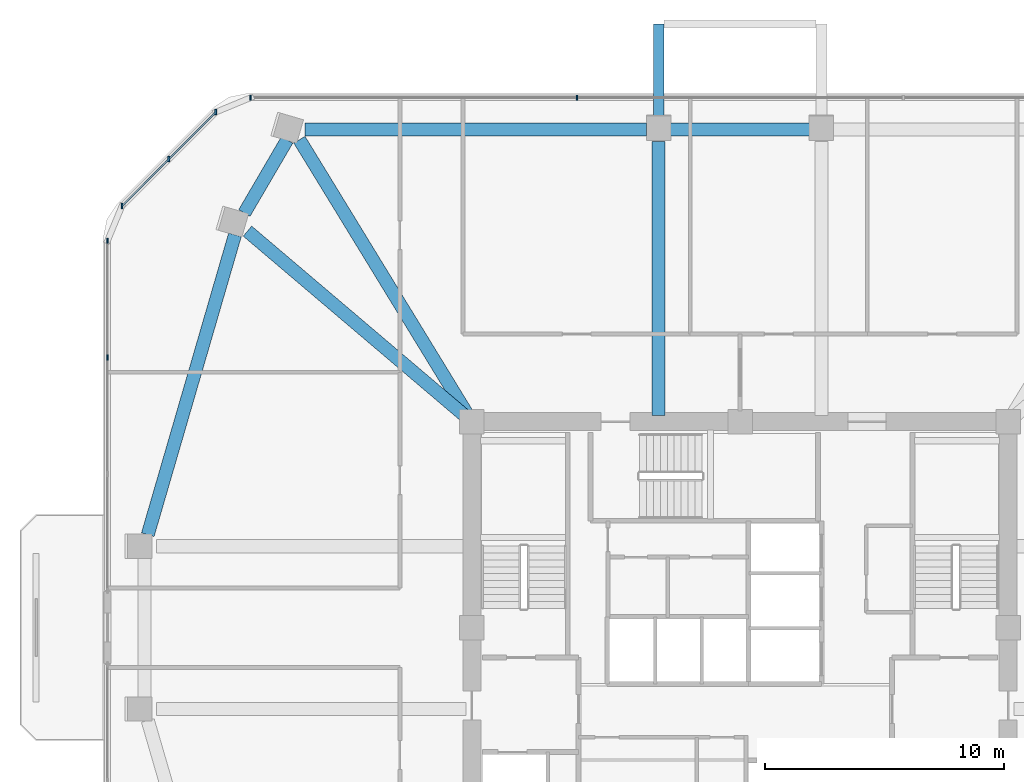
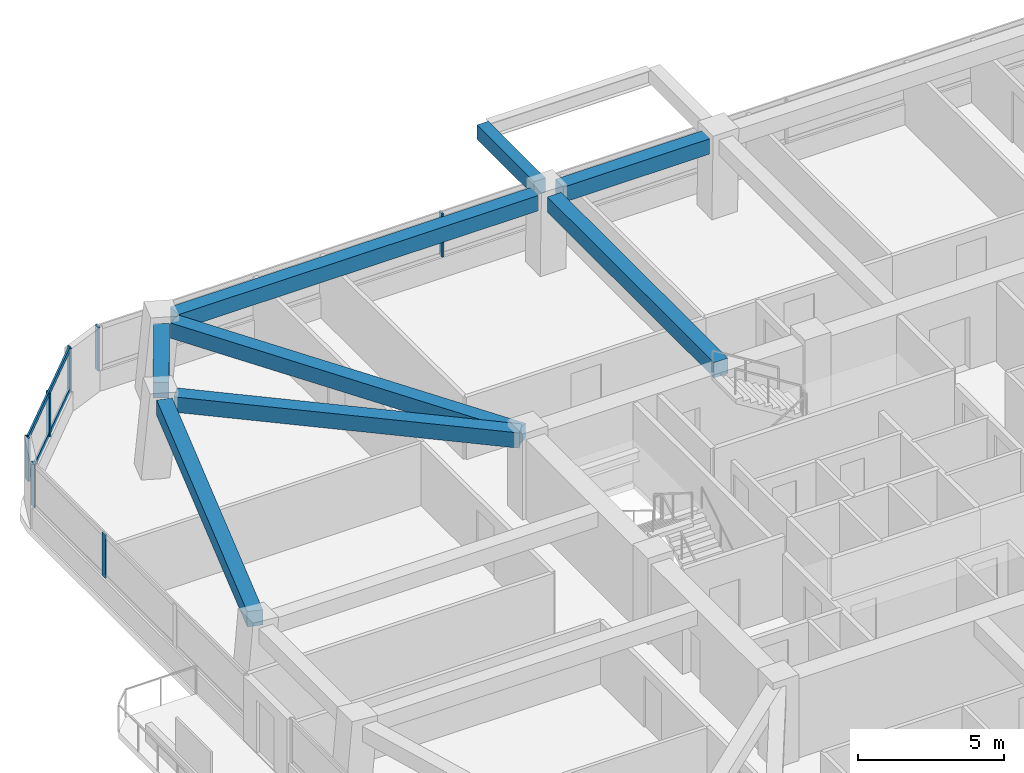
# One storey, part 6 of 15: 9 members, 8 beams, 3 elements without a shape of their own.
"""IFC4 building model written with IfcOpenShell, lengths in metres."""

from ifc_helpers import new_model, si_unit, derived_unit, direction, frame, origin, origin_2d, place, context, subcontext, project, spatial, rectangle, extrude, material, material_profile, profile_set, type_object, element, aggregate, save


model = new_model("IFC4")

# Units and contexts
model_context = context("Model", 3, precision=1e-05, world=origin(), true_north=direction((0.0, 1.0)))
body_context = subcontext(model_context, "Body", "Model", "MODEL_VIEW")
ifc_project = project(units=[si_unit("LENGTHUNIT", "METRE"), si_unit("AREAUNIT", "SQUARE_METRE"), si_unit("VOLUMEUNIT", "CUBIC_METRE"), si_unit("PLANEANGLEUNIT", "RADIAN"), si_unit("MASSUNIT", "GRAM", prefix="KILO"), derived_unit("THERMALTRANSMITTANCEUNIT", [(si_unit("POWERUNIT", "WATT"), 1), (si_unit("LENGTHUNIT", "METRE"), -2), (si_unit("THERMODYNAMICTEMPERATUREUNIT", "KELVIN"), -1)])], contexts=[model_context])

# Site, building, storey
site_placement = place(None, origin())
site = spatial("IfcSite", under=ifc_project, at=site_placement, CompositionType="ELEMENT")
building_placement = place(site_placement, origin())
building = spatial("IfcBuilding", under=site, at=building_placement, Name="Koralith Skygarden Medical Center", CompositionType="ELEMENT")
storey_placement = place(building_placement, frame((0.0, 0.0, 91.97998046875)))
storey = spatial("IfcBuildingStorey", under=building, at=storey_placement, Name="L23", CompositionType="ELEMENT", Elevation=91.97998046875)

# Curtain wall, members
ifc_material_1 = material(Name="Clear Laminated Glass", Category="glass")
curtain_wall_type = type_object("IfcCurtainWallType", Name="CW-3 Zone 2 Faceted Solar Curtain Wall", PredefinedType="NOTDEFINED", material=ifc_material_1)
curtain_wall_1_placement = place(storey_placement, origin())
curtain_wall_1 = element("IfcCurtainWall", 1, at=curtain_wall_1_placement, inside=storey, type_object=curtain_wall_type, Name="Curtain Wall CW-L23-N", PredefinedType="NOTDEFINED")
ifc_material_2 = material(Name="Aluminium 6063-T6", Category="aluminium")
ifc_material_profile_1 = material_profile(ifc_material_2, rectangle(XDim=0.073974609375, YDim=0.219970703125, at=origin_2d()), Name="MUL74X220")
ifc_profile_set_1 = profile_set([ifc_material_profile_1], Name="Aluminium 6063-T6")
member_type_1 = type_object("IfcMemberType", Name="CW-3 Extruded Mullion 74x220", PredefinedType="MULLION", material=ifc_profile_set_1)
member_1_placement = place(storey_placement, frame((30.18603515625, 48.031005859375, 0.85009765625), z_axis=(0.0, 0.0, 1.0), x_axis=(1.0, 0.0, 0.0)))
member_1 = element("IfcMember", 2, at=member_1_placement, type_object=member_type_1, Name="CW-L23-N Mullion 3", PredefinedType="MULLION", context=body_context, shape_type="SweptSolid", body=[
    extrude(rectangle(XDim=0.073974609375, YDim=0.219970703125, at=origin_2d()), origin(), (0.0, 0.0, 1.0), 1.81982421875),
])
member_2_placement = place(storey_placement, frame((16.55810546875, 48.031005859375, 0.85009765625), z_axis=(0.0, 0.0, 1.0), x_axis=(1.0, 0.0, 0.0)))
member_2 = element("IfcMember", 3, at=member_2_placement, type_object=member_type_1, Name="CW-L23-N Mullion 4", PredefinedType="MULLION", context=body_context, shape_type="SweptSolid", body=[
    extrude(rectangle(XDim=0.073974609375, YDim=0.219970703125, at=origin_2d()), origin(), (0.0, 0.0, 1.0), 1.81982421875),
])
aggregate(curtain_wall_1, [member_1, member_2])

curtain_wall_2_placement = place(storey_placement, origin())
curtain_wall_2 = element("IfcCurtainWall", 4, at=curtain_wall_2_placement, inside=storey, type_object=curtain_wall_type, Name="Curtain Wall CW-L23-NW", PredefinedType="NOTDEFINED")
member_3_placement = place(storey_placement, frame((15.10693359375, 47.429931640625, 0.85009765625), z_axis=(0.0, 0.0, 1.0), x_axis=(1.0, 0.0, 0.0)))
member_3 = element("IfcMember", 5, at=member_3_placement, type_object=member_type_1, Name="CW-L23-NW Mullion 1", PredefinedType="MULLION", context=body_context, shape_type="SweptSolid", body=[
    extrude(rectangle(XDim=0.073974609375, YDim=0.219970703125, at=origin_2d()), origin(), (0.0, 0.0, 1.0), 1.81982421875),
])
member_4_placement = place(storey_placement, frame((13.14501953125, 45.468017578125, 0.85009765625), z_axis=(0.0, 0.0, 1.0), x_axis=(1.0, 0.0, 0.0)))
member_4 = element("IfcMember", 6, at=member_4_placement, type_object=member_type_1, Name="CW-L23-NW Mullion 2", PredefinedType="MULLION", context=body_context, shape_type="SweptSolid", body=[
    extrude(rectangle(XDim=0.073974609375, YDim=0.219970703125, at=origin_2d()), origin(), (0.0, 0.0, 1.0), 1.81982421875),
])
member_5_placement = place(storey_placement, frame((11.18408203125, 43.507080078125, 0.85009765625), z_axis=(0.0, 0.0, 1.0), x_axis=(1.0, 0.0, 0.0)))
member_5 = element("IfcMember", 7, at=member_5_placement, type_object=member_type_1, Name="CW-L23-NW Mullion 3", PredefinedType="MULLION", context=body_context, shape_type="SweptSolid", body=[
    extrude(rectangle(XDim=0.073974609375, YDim=0.219970703125, at=origin_2d()), origin(), (0.0, 0.0, 1.0), 1.81982421875),
])

curtain_wall_3_placement = place(storey_placement, origin())
curtain_wall_3 = element("IfcCurtainWall", 8, at=curtain_wall_3_placement, inside=storey, type_object=curtain_wall_type, Name="Curtain Wall CW-L23-W-L", PredefinedType="NOTDEFINED")
member_6_placement = place(storey_placement, frame((10.58203125, 42.055908203125, 0.85009765625), z_axis=(0.0, 0.0, 1.0), x_axis=(1.0, 0.0, 0.0)))
member_6 = element("IfcMember", 9, at=member_6_placement, type_object=member_type_1, Name="CW-L23-W-L Mullion 1", PredefinedType="MULLION", context=body_context, shape_type="SweptSolid", body=[
    extrude(rectangle(XDim=0.073974609375, YDim=0.219970703125, at=origin_2d()), origin(), (0.0, 0.0, 1.0), 1.81982421875),
])
member_7_placement = place(storey_placement, frame((10.58203125, 37.18408203125, 0.85009765625), z_axis=(0.0, 0.0, 1.0), x_axis=(1.0, 0.0, 0.0)))
member_7 = element("IfcMember", 10, at=member_7_placement, type_object=member_type_1, Name="CW-L23-W-L Mullion 2", PredefinedType="MULLION", context=body_context, shape_type="SweptSolid", body=[
    extrude(rectangle(XDim=0.073974609375, YDim=0.219970703125, at=origin_2d()), origin(), (0.0, 0.0, 1.0), 1.81982421875),
])
aggregate(curtain_wall_3, [member_6, member_7])

# Member
ifc_material_profile_2 = material_profile(ifc_material_2, rectangle(XDim=0.069091796875, YDim=0.197998046875, at=origin_2d()), Name="TRN69X198")
ifc_profile_set_2 = profile_set([ifc_material_profile_2], Name="Aluminium 6063-T6")
member_type_2 = type_object("IfcMemberType", Name="CW-3 Thermal Transom 69x198", PredefinedType="USERDEFINED", material=ifc_profile_set_2)
member_8_placement = place(storey_placement, frame((15.10693359375, 47.429931640625, 0.89990234375), z_axis=(-0.707106781187, -0.707106781187, 0.0), x_axis=(0.707106781187, -0.707106781187, 0.0)))
member_8 = element("IfcMember", 11, at=member_8_placement, type_object=member_type_2, Name="CW-L23-NW Transom 1", ObjectType="TRANSOM", PredefinedType="USERDEFINED", context=body_context, shape_type="SweptSolid", body=[
    extrude(rectangle(XDim=0.069091796875, YDim=0.197998046875, at=origin_2d()), origin(), (0.0, 0.0, 1.0), 5.5478515625),
])

member_9_placement = place(storey_placement, frame((15.10693359375, 47.429931640625, 2.6201171875), z_axis=(-0.707106781187, -0.707106781187, 0.0), x_axis=(0.707106781187, -0.707106781187, 0.0)))
member_9 = element("IfcMember", 12, at=member_9_placement, type_object=member_type_2, Name="CW-L23-NW Transom 2", ObjectType="TRANSOM", PredefinedType="USERDEFINED", context=body_context, shape_type="SweptSolid", body=[
    extrude(rectangle(XDim=0.069091796875, YDim=0.197998046875, at=origin_2d()), origin(), (0.0, 0.0, 1.0), 5.5478515625),
])

aggregate(curtain_wall_2, [member_3, member_4, member_5, member_8, member_9])

# Beams
ifc_material_3 = material(Name="Concrete C45/55", Category="concrete")
ifc_material_profile_3 = material_profile(ifc_material_3, rectangle(XDim=0.449951171875, YDim=0.60009765625, at=origin_2d()), Name="RCB450X600")
ifc_profile_set_3 = profile_set([ifc_material_profile_3], Name="Concrete C45/55")
beam_type_1 = type_object("IfcBeamType", Name="Planted Balcony Cantilever Beam RCB450X600", PredefinedType="BEAM", material=ifc_profile_set_3)
beam_1_placement = place(storey_placement, frame((33.60009765625, 47.193115234375, 3.0400390625), z_axis=(0.0, 1.0, 0.0), x_axis=(-1.0, 0.0, 0.0)))
element("IfcBeam", 13, at=beam_1_placement, inside=storey, type_object=beam_type_1, Name="L24 N Balcony Cantilever Beam A", PredefinedType="BEAM", context=body_context, shape_type="SweptSolid", body=[
    extrude(rectangle(XDim=0.449951171875, YDim=0.60009765625, at=origin_2d()), origin(), (0.0, 0.0, 1.0), 3.919921875),
])
ifc_material_profile_4 = material_profile(ifc_material_3, rectangle(XDim=0.550048828125, YDim=0.639892578125, at=origin_2d()), Name="RCB550X640")
ifc_profile_set_4 = profile_set([ifc_material_profile_4], Name="Concrete C45/55")
beam_type_2 = type_object("IfcBeamType", Name="Radial Collector Beam RCB550X640", PredefinedType="BEAM", material=ifc_profile_set_4)
beam_2_placement = place(storey_placement, frame((33.60009765625, 34.75, 3.0), z_axis=(0.0, 1.0, 0.0), x_axis=(-1.0, 0.0, 0.0)))
element("IfcBeam", 14, at=beam_2_placement, inside=storey, type_object=beam_type_2, Name="L23 Radial Collector Beam RB-13", PredefinedType="BEAM", context=body_context, shape_type="SweptSolid", body=[
    extrude(rectangle(XDim=0.550048828125, YDim=0.639892578125, at=origin_2d()), origin(), (0.0, 0.0, 1.0), 11.452880859375),
])
beam_3_placement = place(storey_placement, frame((25.669921875, 34.712890625, 3.0), z_axis=(-0.521811326111, 0.853060923933, 0.0), x_axis=(-0.853060923933, -0.521811326111, 0.0)))
element("IfcBeam", 15, at=beam_3_placement, inside=storey, type_object=beam_type_2, Name="L23 Radial Collector Beam RB-14", PredefinedType="BEAM", context=body_context, shape_type="SweptSolid", body=[
    extrude(rectangle(XDim=0.550048828125, YDim=0.639892578125, at=origin_2d()), origin(), (0.0, 0.0, 1.0), 13.5546875),
])
beam_4_placement = place(storey_placement, frame((25.60888671875, 34.662109375, 3.0), z_axis=(-0.762289739891, 0.647235932607, 0.0), x_axis=(-0.647235932607, -0.762289739891, 0.0)))
element("IfcBeam", 16, at=beam_4_placement, inside=storey, type_object=beam_type_2, Name="L23 Radial Collector Beam RB-15", PredefinedType="BEAM", context=body_context, shape_type="SweptSolid", body=[
    extrude(rectangle(XDim=0.550048828125, YDim=0.639892578125, at=origin_2d()), origin(), (0.0, 0.0, 1.0), 12.04638671875),
])
ifc_material_profile_5 = material_profile(ifc_material_3, rectangle(XDim=0.550048828125, YDim=0.639892578125, at=origin_2d()), Name="RCB550X640")
ifc_profile_set_5 = profile_set([ifc_material_profile_5], Name="Concrete C45/55")
beam_type_3 = type_object("IfcBeamType", Name="Zone 2-3 Spandrel Beam RCB550X640", PredefinedType="SPANDREL", material=ifc_profile_set_5)
beam_5_placement = place(storey_placement, frame((39.89990234375, 46.702880859375, 3.0), z_axis=(-1.0, 0.0, 0.0), x_axis=(0.0, -1.0, 0.0)))
element("IfcBeam", 17, at=beam_5_placement, inside=storey, type_object=beam_type_3, Name="L23 Perimeter Spandrel Beam SP-12", PredefinedType="SPANDREL", context=body_context, shape_type="SweptSolid", body=[
    extrude(rectangle(XDim=0.550048828125, YDim=0.639892578125, at=origin_2d()), origin(), (0.0, 0.0, 1.0), 5.7998046875),
])
beam_6_placement = place(storey_placement, frame((33.10009765625, 46.702880859375, 3.0), z_axis=(-1.0, 0.0, 0.0), x_axis=(0.0, -1.0, 0.0)))
element("IfcBeam", 18, at=beam_6_placement, inside=storey, type_object=beam_type_3, Name="L23 Perimeter Spandrel Beam SP-13", PredefinedType="SPANDREL", context=body_context, shape_type="SweptSolid", body=[
    extrude(rectangle(XDim=0.550048828125, YDim=0.639892578125, at=origin_2d()), origin(), (0.0, 0.0, 1.0), 14.26416015625),
])
beam_7_placement = place(storey_placement, frame((18.083984375, 46.27099609375, 3.0), z_axis=(-0.504766963518, -0.863255647268, 0.0), x_axis=(0.863255647268, -0.504766963518, 0.0)))
element("IfcBeam", 19, at=beam_7_placement, inside=storey, type_object=beam_type_3, Name="L23 Perimeter Spandrel Beam SP-14", PredefinedType="SPANDREL", context=body_context, shape_type="SweptSolid", body=[
    extrude(rectangle(XDim=0.550048828125, YDim=0.639892578125, at=origin_2d()), origin(), (0.0, 0.0, 1.0), 3.5400390625),
])
beam_8_placement = place(storey_placement, frame((15.905029296875, 42.302978515625, 3.0), z_axis=(-0.279193344291, -0.960234906939, 0.0), x_axis=(0.960234906939, -0.279193344291, 0.0)))
element("IfcBeam", 20, at=beam_8_placement, inside=storey, type_object=beam_type_3, Name="L23 Perimeter Spandrel Beam SP-15", PredefinedType="SPANDREL", context=body_context, shape_type="SweptSolid", body=[
    extrude(rectangle(XDim=0.550048828125, YDim=0.639892578125, at=origin_2d()), origin(), (0.0, 0.0, 1.0), 13.04150390625),
])

save(model, "model.ifc")
